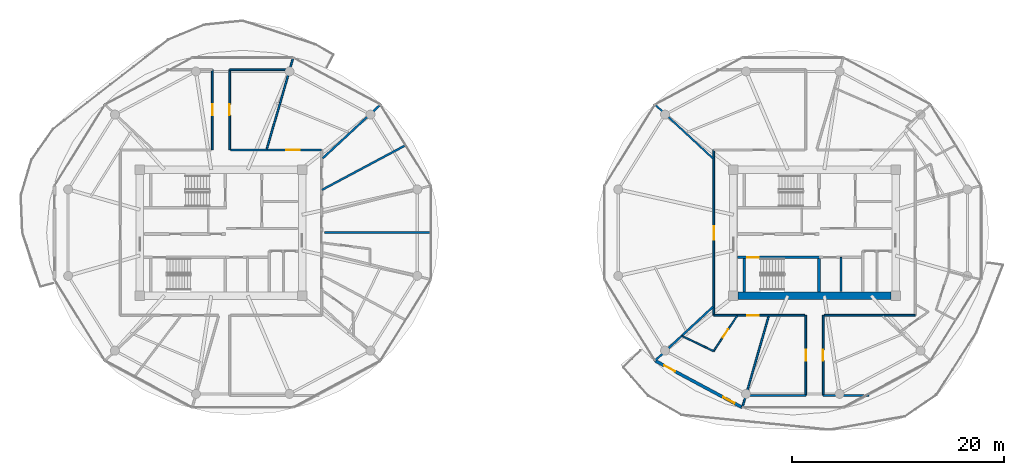
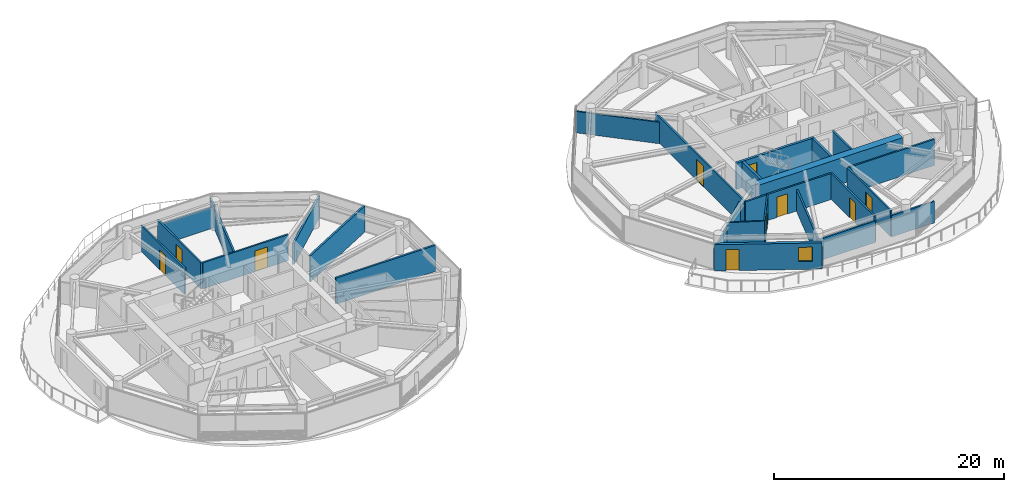
# One storey, part 15 of 24: 26 walls, 10 doors, 1 window, 11 openings.
"""IFC4 building model written with IfcOpenShell, lengths in metres."""

import ifcopenshell
import ifcopenshell.guid

model = None  # the IFC model being written
_history = None  # IfcOwnerHistory: only IFC2X3 demands one
_inside = {}  # id of a spatial element -> (the spatial element, [elements in it])
_under = {}  # id of a project, library or spatial element -> (it, [spatial elements below it])
_declared = {}  # id of a project -> (the project, [libraries it declares])
_typed = {}  # id of a type object -> (the type object, [elements of that type])
_made_of = {}  # id of a material, layer set ... -> (it, [elements and type objects made of it])


def new_model(schema):
    """Start an empty IFC model of exactly this schema.

    Asked for "IFC4X3", IfcOpenShell would pick the latest addendum, in which some entities
    have other attributes; the version numbers below select the first issue.
    IFC2X3 requires an IfcOwnerHistory on every rooted entity: one is made here for all.
    """
    global model, _history
    if schema == "IFC4X3":
        model = ifcopenshell.file(schema_version=(4, 3, 0, 0))
    else:
        model = ifcopenshell.file(schema=schema)
    _inside.clear()
    _under.clear()
    _declared.clear()
    _typed.clear()
    _made_of.clear()
    _history = None
    if model.schema == "IFC2X3":
        org = make("IfcOrganization", Name="unknown")
        user = make(
            "IfcPersonAndOrganization",
            ThePerson=make("IfcPerson", FamilyName="unknown"),
            TheOrganization=org,
        )
        app = make(
            "IfcApplication",
            ApplicationDeveloper=org,
            Version="unknown",
            ApplicationFullName="unknown",
            ApplicationIdentifier="unknown",
        )
        _history = make(
            "IfcOwnerHistory",
            OwningUser=user,
            OwningApplication=app,
            ChangeAction="ADDED",
            CreationDate=0,
        )
    return model


def make(cls, **values):
    """One entity of the class cls with the attributes given. An attribute that is None is left unset."""
    return model.create_entity(
        cls, **{name: value for name, value in values.items() if value is not None}
    )


def rooted(cls, **values):
    """An entity with a GlobalId (a new one), such as an element, a storey or a relation."""
    return make(cls, GlobalId=ifcopenshell.guid.new(), OwnerHistory=_history, **values)


def si_unit(unit_type, name, prefix=None):
    """IfcSIUnit, for example si_unit("LENGTHUNIT", "METRE", prefix="MILLI")."""
    return make("IfcSIUnit", UnitType=unit_type, Prefix=prefix, Name=name)


def assignment(units):
    """IfcUnitAssignment: the units of a project."""
    return None if units is None else make("IfcUnitAssignment", Units=units)


def point(xyz):
    """IfcCartesianPoint."""
    return None if xyz is None else make("IfcCartesianPoint", Coordinates=xyz)


def direction(xyz):
    """IfcDirection."""
    return None if xyz is None else make("IfcDirection", DirectionRatios=xyz)


def frame(location, z_axis=None, x_axis=None):
    """IfcAxis2Placement3D, a coordinate frame: its origin and axes. An axis left out is left unset."""
    return make(
        "IfcAxis2Placement3D",
        Location=point(location),
        Axis=direction(z_axis),
        RefDirection=direction(x_axis),
    )


def frame_2d(location, x_axis=None):
    """IfcAxis2Placement2D, a coordinate frame in the plane: its origin and x axis."""
    return make(
        "IfcAxis2Placement2D", Location=point(location), RefDirection=direction(x_axis)
    )


def origin():
    """The frame at (0, 0, 0) with its axes left unset."""
    return frame((0.0, 0.0, 0.0))


def place(relative_to, where):
    """IfcLocalPlacement: puts the frame where relative to a parent placement (None: the world)."""
    return make(
        "IfcLocalPlacement", PlacementRelTo=relative_to, RelativePlacement=where
    )


def context(
    kind, dimensions, precision=None, world=None, true_north=None, identifier=None
):
    """IfcGeometricRepresentationContext, for example the 3D "Model" context."""
    return make(
        "IfcGeometricRepresentationContext",
        ContextIdentifier=identifier,
        ContextType=kind,
        CoordinateSpaceDimension=dimensions,
        Precision=precision,
        WorldCoordinateSystem=world,
        TrueNorth=true_north,
    )


def subcontext(parent, identifier, kind, view, scale=None):
    """IfcGeometricRepresentationSubContext, for example "Body" below "Model"."""
    return make(
        "IfcGeometricRepresentationSubContext",
        ContextIdentifier=identifier,
        ContextType=kind,
        ParentContext=parent,
        TargetScale=scale,
        TargetView=view,
    )


def project(units=None, contexts=None):
    """IfcProject with its units and contexts."""
    return rooted(
        "IfcProject",
        Name="project",
        RepresentationContexts=contexts,
        UnitsInContext=assignment(units),
    )


def spatial(cls, under=None, at=None, **own):
    """A site, building, storey or space (cls), placed at a placement, below another one or the project."""
    s = rooted(cls, ObjectPlacement=at, **own)
    if under is not None:
        _under.setdefault(under.id(), (under, []))[1].append(s)
    return s


def profile(cls, at=None, kind="AREA", **sizes):
    """A parametric profile (cls). Its sizes go by their IFC names, for example OverallWidth=200.0."""
    return make(cls, ProfileType=kind, Position=at, **sizes)


def rectangle(**sizes):
    """IfcRectangleProfileDef."""
    return profile("IfcRectangleProfileDef", **sizes)


def extrude(swept, where, along, depth):
    """IfcExtrudedAreaSolid: the profile swept, set in the frame where, extruded along a direction by depth."""
    return make(
        "IfcExtrudedAreaSolid",
        SweptArea=swept,
        Position=where,
        ExtrudedDirection=direction(along),
        Depth=depth,
    )


def shape(context_of_items, identifier, shape_type, items):
    """IfcShapeRepresentation: the items that make up one representation, for example the "Body"."""
    return make(
        "IfcShapeRepresentation",
        ContextOfItems=context_of_items,
        RepresentationIdentifier=identifier,
        RepresentationType=shape_type,
        Items=items,
    )


def source(mapping_origin, context_of_items, identifier, shape_type, items):
    """IfcRepresentationMap: a shape defined once, which mapped items show again and again."""
    return make(
        "IfcRepresentationMap",
        MappingOrigin=mapping_origin,
        MappedRepresentation=shape(context_of_items, identifier, shape_type, items),
    )


def transform(
    local_origin,
    x_axis=None,
    y_axis=None,
    z_axis=None,
    scale=None,
    scale2=None,
    scale3=None,
    uniform=True,
):
    """IfcCartesianTransformationOperator3D, or its non-uniform kind. x_axis, y_axis, z_axis: its Axis1, 2, 3."""
    if uniform:
        return make(
            "IfcCartesianTransformationOperator3D",
            Axis1=direction(x_axis),
            Axis2=direction(y_axis),
            LocalOrigin=point(local_origin),
            Scale=scale,
            Axis3=direction(z_axis),
        )
    return make(
        "IfcCartesianTransformationOperator3DnonUniform",
        Axis1=direction(x_axis),
        Axis2=direction(y_axis),
        LocalOrigin=point(local_origin),
        Scale=scale,
        Axis3=direction(z_axis),
        Scale2=scale2,
        Scale3=scale3,
    )


def mapped(mapping_source, mapping_target):
    """IfcMappedItem: shows the shape of a source again, moved by a transform."""
    return make(
        "IfcMappedItem", MappingSource=mapping_source, MappingTarget=mapping_target
    )


def material(Name=None, Category=None):
    """IfcMaterial."""
    return make("IfcMaterial", Name=Name, Category=Category)


def layer(
    of_material, thickness, ventilated=None, Name=None, Category=None, Priority=None
):
    """IfcMaterialLayer: one layer of a wall or slab, of a material (None: an air gap)."""
    return make(
        "IfcMaterialLayer",
        Material=of_material,
        LayerThickness=thickness,
        IsVentilated=ventilated,
        Name=Name,
        Category=Category,
        Priority=Priority,
    )


def layer_set(layers, Name=None):
    """IfcMaterialLayerSet."""
    return make("IfcMaterialLayerSet", MaterialLayers=layers, LayerSetName=Name)


def made_of(thing, what):
    """Note that an element or type object is made of a material, layer set ...; save() writes the relation."""
    if what is not None:
        _made_of.setdefault(what.id(), (what, []))[1].append(thing)
    return thing


def type_object(cls, material=None, **own):
    """A type object (cls), such as IfcWallType, which elements share."""
    return made_of(rooted(cls, **own), material)


def type_shapes(of_type, sources):
    """Give a type object the sources (RepresentationMaps) that its elements show as mapped items."""
    of_type.RepresentationMaps = sources


def element(
    cls,
    number,
    at=None,
    inside=None,
    cuts=None,
    type_object=None,
    material=None,
    context=None,
    identifier="Body",
    shape_type=None,
    held_by="IfcProductDefinitionShape",
    body=None,
    shapes=None,
    **own,
):
    """One element of the class cls, such as IfcWall. Its Tag is "e" and its number.

    at: its placement. inside: the storey or other place that contains it. cuts: it is an
    opening in that element (IfcRelVoidsElement). A single representation is given by context,
    identifier, shape_type and body (its items); several are given by shapes. held_by: the class
    of the entity that holds the representations. save() writes the other relations.
    """
    e = rooted(cls, Tag="e%d" % number, ObjectPlacement=at, **own)
    if body is not None:
        shapes = [shape(context, identifier, shape_type, body)]
    if shapes is not None:
        e.Representation = make(held_by, Representations=shapes)
    if inside is not None:
        _inside.setdefault(inside.id(), (inside, []))[1].append(e)
    if cuts is not None:
        rooted(
            "IfcRelVoidsElement", RelatingBuildingElement=cuts, RelatedOpeningElement=e
        )
    if type_object is not None:
        _typed.setdefault(type_object.id(), (type_object, []))[1].append(e)
    return made_of(e, material)


def fill(opening, filler):
    """IfcRelFillsElement: the door or window that sits in an opening."""
    return rooted(
        "IfcRelFillsElement",
        RelatingOpeningElement=opening,
        RelatedBuildingElement=filler,
    )


def aggregate(whole, parts):
    """IfcRelAggregates: a whole, such as a stair, and the parts it consists of."""
    return rooted("IfcRelAggregates", RelatingObject=whole, RelatedObjects=parts)


def save(model, path):
    """Write the relations noted so far, then the file.

    IfcRelAggregates (storeys below a building ...), IfcRelContainedInSpatialStructure (elements
    in a storey), IfcRelDefinesByType, IfcRelAssociatesMaterial and IfcRelDeclares: one each for
    every whole, place, type object, material and project.
    """
    for whole, parts in _under.values():
        aggregate(whole, parts)
    for where, things in _inside.values():
        rooted(
            "IfcRelContainedInSpatialStructure",
            RelatedElements=things,
            RelatingStructure=where,
        )
    for kind, things in _typed.values():
        rooted("IfcRelDefinesByType", RelatedObjects=things, RelatingType=kind)
    for what, things in _made_of.values():
        rooted("IfcRelAssociatesMaterial", RelatedObjects=things, RelatingMaterial=what)
    for by, libraries in _declared.values():
        rooted("IfcRelDeclares", RelatingContext=by, RelatedDefinitions=libraries)
    model.write(path)


model = new_model("IFC4")

# Units and contexts
model_context = context("Model", 3, precision=1e-05, world=origin(), true_north=direction((0.0, 1.0)))
body_context = subcontext(model_context, "Body", "Model", "MODEL_VIEW")
ifc_project = project(units=[si_unit("LENGTHUNIT", "METRE"), si_unit("AREAUNIT", "SQUARE_METRE"), si_unit("VOLUMEUNIT", "CUBIC_METRE"), si_unit("PLANEANGLEUNIT", "RADIAN"), si_unit("MASSUNIT", "GRAM", prefix="KILO")], contexts=[model_context])

# Site, building, storey
site_placement = place(None, origin())
site = spatial("IfcSite", under=ifc_project, at=site_placement, CompositionType="ELEMENT")
building_placement = place(site_placement, origin())
building = spatial("IfcBuilding", under=site, at=building_placement, Name="Norrkilde Senior Care Towers", CompositionType="ELEMENT")
storey_placement = place(building_placement, frame((0.0, 0.0, 90.14990234375)))
storey = spatial("IfcBuildingStorey", under=building, at=storey_placement, Name="L27", CompositionType="ELEMENT", Elevation=90.14990234375)

# Wall
ifc_material_1 = material(Name="Concrete C60/75", Category="concrete")
ifc_layer_1 = layer(ifc_material_1, 0.719970703125)
ifc_layer_set_1 = layer_set([ifc_layer_1], Name="Concrete C60/75")
wall_type_1 = type_object("IfcWallType", Name="Core Shear Wall Z2 720", PredefinedType="SHEAR", material=ifc_layer_set_1)
shared_shape_1 = source(origin(), body_context, "Body", "SweptSolid", [
    extrude(rectangle(XDim=14.39990234375, YDim=0.719970703125, at=frame_2d((7.199951171875, 0.0))), origin(), (0.0, 0.0, 1.0), 2.7900390625),
])
type_shapes(wall_type_1, [shared_shape_1])
wall_1_placement = place(storey_placement, frame((35.199951171875, -5.949951171875, 0.0), z_axis=(0.0, 0.0, 1.0), x_axis=(-1.0, 0.0, 0.0)))
element("IfcWall", 1, at=wall_1_placement, inside=storey, type_object=wall_type_1, Name="L27 Core E South Shear Wall", PredefinedType="SHEAR", context=body_context, shape_type="MappedRepresentation", body=[
    mapped(shared_shape_1, transform((0.0, 0.0, 0.0), x_axis=(1.0, 0.0, 0.0), y_axis=(0.0, 1.0, 0.0), z_axis=(0.0, 0.0, 1.0), scale=1.0)),
])

# Wall, openings, door, window
ifc_material_2 = material(Name="Precast concrete C45/55", Category="concrete")
ifc_layer_2 = layer(ifc_material_2, 0.2900390625)
ifc_layer_set_2 = layer_set([ifc_layer_2], Name="Precast concrete C45/55")
wall_type_2 = type_object("IfcWallType", Name="Winter Garden Facade Wall 290", PredefinedType="SOLIDWALL", material=ifc_layer_set_2)
shared_shape_2 = source(origin(), body_context, "Body", "SweptSolid", [
    extrude(rectangle(XDim=9.3505859375, YDim=0.2900390625, at=frame_2d((4.67529296875, 0.0))), origin(), (0.0, 0.0, 1.0), 2.7900390625),
])
type_shapes(wall_type_2, [shared_shape_2])
wall_2_placement = place(storey_placement, frame((21.19287109375, -16.498046875, 0.0), z_axis=(0.0, 0.0, 1.0), x_axis=(-0.881184411073, 0.472772708267, 0.0)))
wall_2 = element("IfcWall", 2, at=wall_2_placement, inside=storey, type_object=wall_type_2, Name="L27 Drum E Balcony Access Wall 07", PredefinedType="SOLIDWALL", context=body_context, shape_type="MappedRepresentation", body=[
    mapped(shared_shape_2, transform((0.0, 0.0, 0.0), x_axis=(1.0, 0.0, 0.0), y_axis=(0.0, 1.0, 0.0), z_axis=(0.0, 0.0, 1.0), scale=1.0)),
])
opening_1_placement = place(wall_2_placement, frame((7.219970703125, 0.0, 0.0)))
opening_1 = element("IfcOpeningElement", 3, at=opening_1_placement, cuts=wall_2, Name="Opening D-09", PredefinedType="OPENING", context=body_context, shape_type="SweptSolid", body=[
    extrude(rectangle(XDim=1.14990234375, YDim=2.25, at=frame_2d((0.574951171875, 1.125))), frame((0.0, 0.155029296875, 0.0), z_axis=(0.0, -1.0, 0.0), x_axis=(1.0, 0.0, 0.0)), (0.0, 0.0, 1.0), 0.31005859375),
])
opening_2_placement = place(wall_2_placement, frame((0.85009765625, 0.0, 0.85009765625)))
opening_2 = element("IfcOpeningElement", 4, at=opening_2_placement, cuts=wall_2, Name="Opening WN-07", PredefinedType="OPENING", context=body_context, shape_type="SweptSolid", body=[
    extrude(rectangle(XDim=1.199951171875, YDim=1.5, at=frame_2d((0.60009765625, 0.75))), frame((0.0, 0.155029296875, 0.0), z_axis=(0.0, -1.0, 0.0), x_axis=(1.0, 0.0, 0.0)), (0.0, 0.0, 1.0), 0.31005859375),
])
ifc_material_3 = material(Name="Anodised Aluminium", Category="aluminium")
door_type_1 = type_object("IfcDoorType", Name="Terrace and Balcony Glazed Door 1150x2250", OperationType="NOTDEFINED", PredefinedType="DOOR", material=ifc_material_3)
shared_shape_3 = source(origin(), body_context, "Body", "SweptSolid", [
    extrude(rectangle(XDim=1.14990234375, YDim=2.25, at=frame_2d((0.574951171875, 1.125))), frame((0.0, 0.02490234375, 0.0), z_axis=(0.0, -1.0, 0.0), x_axis=(1.0, 0.0, 0.0)), (0.0, 0.0, 1.0), 0.050048828125),
])
type_shapes(door_type_1, [shared_shape_3])
door_1_placement = place(opening_1_placement, origin())
door_1 = element("IfcDoor", 5, at=door_1_placement, inside=storey, type_object=door_type_1, Name="L27 Drum E Outdoor Terrace Door 07", OperationType="SINGLE_SWING_RIGHT", OverallHeight=2.25, OverallWidth=1.14990234375, PredefinedType="DOOR", context=body_context, shape_type="MappedRepresentation", body=[
    mapped(shared_shape_3, transform((0.0, 0.0, 0.0), x_axis=(1.0, 0.0, 0.0), y_axis=(0.0, 1.0, 0.0), z_axis=(0.0, 0.0, 1.0), scale=1.0)),
])
fill(opening_1, door_1)
ifc_material_4 = material(Name="Triple Low-E Insulated Glazing", Category="glass")
window_type = type_object("IfcWindowType", Name="Stairwell Smoke Vent Window 1200x1500", PartitioningType="SINGLE_PANEL", PredefinedType="WINDOW", material=ifc_material_4)
shared_shape_4 = source(origin(), body_context, "Body", "SweptSolid", [
    extrude(rectangle(XDim=1.199951171875, YDim=1.5, at=frame_2d((0.60009765625, 0.75))), frame((0.0, 0.030029296875, 0.0), z_axis=(0.0, -1.0, 0.0), x_axis=(1.0, 0.0, 0.0)), (0.0, 0.0, 1.0), 0.06005859375),
])
type_shapes(window_type, [shared_shape_4])
window_placement = place(opening_2_placement, origin())
window = element("IfcWindow", 6, at=window_placement, inside=storey, type_object=window_type, Name="L27 Drum E Winter Garden Window 07", OverallHeight=1.5, OverallWidth=1.199951171875, PartitioningType="SINGLE_PANEL", PredefinedType="WINDOW", context=body_context, shape_type="MappedRepresentation", body=[
    mapped(shared_shape_4, transform((0.0, 0.0, 0.0), x_axis=(1.0, 0.0, 0.0), y_axis=(0.0, 1.0, 0.0), z_axis=(0.0, 0.0, 1.0), scale=1.0)),
])
fill(opening_2, window)

# Wall
ifc_material_5 = material(Name="Concrete C45/55", Category="concrete")
ifc_layer_3 = layer(ifc_material_5, 0.179931640625)
ifc_layer_set_3 = layer_set([ifc_layer_3], Name="Concrete C45/55")
wall_type_3 = type_object("IfcWallType", Name="Hoistway Division Rated Partition 180", PredefinedType="PARTITIONING", material=ifc_layer_set_3)
shared_shape_5 = source(origin(), body_context, "Body", "SweptSolid", [
    extrude(rectangle(XDim=3.219970703125, YDim=0.179931640625, at=frame_2d((1.60986328125, 0.0))), origin(), (0.0, 0.0, 1.0), 2.775146484375),
])
type_shapes(wall_type_3, [shared_shape_5])
wall_3_placement = place(storey_placement, frame((30.5, -5.550048828125, 0.0), z_axis=(0.0, 0.0, 1.0), x_axis=(0.0, 1.0, 0.0)))
element("IfcWall", 7, at=wall_3_placement, inside=storey, type_object=wall_type_3, Name="WL-INT-L27-E-PL34", PredefinedType="PARTITIONING", context=body_context, shape_type="MappedRepresentation", body=[
    mapped(shared_shape_5, transform((0.0, 0.0, 0.0), x_axis=(1.0, 0.0, 0.0), y_axis=(0.0, 1.0, 0.0), z_axis=(0.0, 0.0, 1.0), scale=1.0)),
])

# Wall, opening, door
ifc_material_6 = material(Name="Gypsum Acoustic Board")
ifc_layer_4 = layer(ifc_material_6, 0.1650390625)
ifc_layer_set_4 = layer_set([ifc_layer_4], Name="Gypsum Acoustic Board")
wall_type_4 = type_object("IfcWallType", Name="Corridor Rated Partition 165", PredefinedType="PARTITIONING", material=ifc_layer_set_4)
shared_shape_6 = source(origin(), body_context, "Body", "SweptSolid", [
    extrude(rectangle(XDim=15.60009765625, YDim=0.1650390625, at=frame_2d((7.800048828125, 0.0))), origin(), (0.0, 0.0, 1.0), 2.775146484375),
])
wall_4_placement = place(storey_placement, frame((18.5, -7.800048828125, 0.0), z_axis=(0.0, 0.0, 1.0), x_axis=(0.0, 1.0, 0.0)))
wall_4 = element("IfcWall", 8, at=wall_4_placement, inside=storey, type_object=wall_type_4, Name="WL-INT-L27-E-CRW-W-0", PredefinedType="PARTITIONING", context=body_context, shape_type="MappedRepresentation", body=[
    mapped(shared_shape_6, transform((0.0, 0.0, 0.0), x_axis=(1.0, 0.0, 0.0), y_axis=(0.0, 1.0, 0.0), z_axis=(0.0, 0.0, 1.0), scale=1.0)),
])
opening_3_placement = place(wall_4_placement, frame((7.1337890625, 0.0, 0.0)))
opening_3 = element("IfcOpeningElement", 9, at=opening_3_placement, cuts=wall_4, Name="Opening D-05", PredefinedType="OPENING", context=body_context, shape_type="SweptSolid", body=[
    extrude(rectangle(XDim=1.25, YDim=2.199951171875, at=frame_2d((0.625, 1.10009765625))), frame((0.0, 0.092529296875, 0.0), z_axis=(0.0, -1.0, 0.0), x_axis=(1.0, 0.0, 0.0)), (0.0, 0.0, 1.0), 0.18505859375),
])
ifc_material_7 = material(Name="Nordic Ash Timber", Category="wood")
door_type_2 = type_object("IfcDoorType", Name="Care Bedroom Bariatric Door 1250x2200", OperationType="NOTDEFINED", PredefinedType="DOOR", material=ifc_material_7)
shared_shape_7 = source(origin(), body_context, "Body", "SweptSolid", [
    extrude(rectangle(XDim=1.25, YDim=2.199951171875, at=frame_2d((0.625, 1.10009765625))), frame((0.0, 0.02490234375, 0.0), z_axis=(0.0, -1.0, 0.0), x_axis=(1.0, 0.0, 0.0)), (0.0, 0.0, 1.0), 0.050048828125),
])
type_shapes(door_type_2, [shared_shape_7])
door_2_placement = place(opening_3_placement, frame((1.25, 0.0, 0.0), z_axis=(0.0, 0.0, 1.0), x_axis=(-1.0, 0.0, 0.0)))
door_2 = element("IfcDoor", 10, at=door_2_placement, inside=storey, type_object=door_type_2, Name="L27 Senior Wellness Library Lounge Door", OperationType="SINGLE_SWING_LEFT", OverallHeight=2.199951171875, OverallWidth=1.25, PredefinedType="DOOR", context=body_context, shape_type="MappedRepresentation", body=[
    mapped(shared_shape_7, transform((0.0, 0.0, 0.0), x_axis=(1.0, 0.0, 0.0), y_axis=(0.0, 1.0, 0.0), z_axis=(0.0, 0.0, 1.0), scale=1.0)),
])
fill(opening_3, door_2)

ifc_layer_5 = layer(ifc_material_5, 0.239990234375)
ifc_layer_set_5 = layer_set([ifc_layer_5], Name="Concrete C45/55")
wall_type_5 = type_object("IfcWallType", Name="Shaft and Stair Enclosure Wall 240", PredefinedType="PARTITIONING", material=ifc_layer_set_5)
shared_shape_8 = source(origin(), body_context, "Body", "SweptSolid", [
    extrude(rectangle(XDim=7.830078125, YDim=0.239990234375, at=frame_2d((3.9150390625, 0.0))), origin(), (0.0, 0.0, 1.0), 2.7900390625),
])
wall_5_placement = place(storey_placement, frame((20.7099609375, -2.330078125, 0.0), z_axis=(0.0, 0.0, 1.0), x_axis=(1.0, 0.0, 0.0)))
wall_5 = element("IfcWall", 11, at=wall_5_placement, inside=storey, type_object=wall_type_5, Name="WL-INT-L27-E-ST2N", PredefinedType="PARTITIONING", context=body_context, shape_type="MappedRepresentation", body=[
    mapped(shared_shape_8, transform((0.0, 0.0, 0.0), x_axis=(1.0, 0.0, 0.0), y_axis=(0.0, 1.0, 0.0), z_axis=(0.0, 0.0, 1.0), scale=1.0)),
])
opening_4_placement = place(wall_5_placement, frame((0.949951171875, 0.0, 0.0)))
opening_4 = element("IfcOpeningElement", 12, at=opening_4_placement, cuts=wall_5, Name="Opening D-03", PredefinedType="OPENING", context=body_context, shape_type="SweptSolid", body=[
    extrude(rectangle(XDim=1.10009765625, YDim=2.14990234375, at=frame_2d((0.550048828125, 1.074951171875))), frame((0.0, 0.1298828125, 0.0), z_axis=(0.0, -1.0, 0.0), x_axis=(1.0, 0.0, 0.0)), (0.0, 0.0, 1.0), 0.260009765625),
])
ifc_material_8 = material(Name="Galvanised Painted Steel", Category="steel")
door_type_3 = type_object("IfcDoorType", Name="Stairwell Protected Fire Door 1100x2150", OperationType="NOTDEFINED", PredefinedType="DOOR", material=ifc_material_8)
shared_shape_9 = source(origin(), body_context, "Body", "SweptSolid", [
    extrude(rectangle(XDim=1.10009765625, YDim=2.14990234375, at=frame_2d((0.550048828125, 1.074951171875))), frame((0.0, 0.02490234375, 0.0), z_axis=(0.0, -1.0, 0.0), x_axis=(1.0, 0.0, 0.0)), (0.0, 0.0, 1.0), 0.050048828125),
])
type_shapes(door_type_3, [shared_shape_9])
door_3_placement = place(opening_4_placement, frame((1.10009765625, 0.0, 0.0), z_axis=(0.0, 0.0, 1.0), x_axis=(-1.0, 0.0, 0.0)))
door_3 = element("IfcDoor", 13, at=door_3_placement, inside=storey, type_object=door_type_3, Name="L27 Stair E2 Fire Door", OperationType="SINGLE_SWING_RIGHT", OverallHeight=2.14990234375, OverallWidth=1.10009765625, PredefinedType="DOOR", context=body_context, shape_type="MappedRepresentation", body=[
    mapped(shared_shape_9, transform((0.0, 0.0, 0.0), x_axis=(1.0, 0.0, 0.0), y_axis=(0.0, 1.0, 0.0), z_axis=(0.0, 0.0, 1.0), scale=1.0)),
])
fill(opening_4, door_3)

# Walls
shared_shape_10 = source(origin(), body_context, "Body", "SweptSolid", [
    extrude(rectangle(XDim=3.14013671875, YDim=0.239990234375, at=frame_2d((1.570068359375, 0.0))), origin(), (0.0, 0.0, 1.0), 2.7900390625),
])
type_shapes(wall_type_5, [shared_shape_8, shared_shape_10])
for number, where, z_axis, x_axis, name in (
    (14, (21.3798828125, -5.590087890625, 0.0), (0.0, 0.0, 1.0), (0.0, 1.0, 0.0), "WL-INT-L27-E-ST2W"),
    (15, (28.419921875, -5.590087890625, 0.0), (0.0, 0.0, 1.0), (0.0, 1.0, 0.0), "WL-INT-L27-E-ST2E"),
):
    element("IfcWall", number, at=place(storey_placement, frame(where, z_axis=z_axis, x_axis=x_axis)), inside=storey, type_object=wall_type_5, Name=name, PredefinedType="PARTITIONING", context=body_context, shape_type="MappedRepresentation", body=[
        mapped(shared_shape_10, transform((0.0, 0.0, 0.0), x_axis=(1.0, 0.0, 0.0), y_axis=(0.0, 1.0, 0.0), z_axis=(0.0, 0.0, 1.0), scale=1.0)),
    ])
ifc_layer_6 = layer(ifc_material_6, 0.18994140625)
ifc_layer_set_6 = layer_set([ifc_layer_6], Name="Gypsum Acoustic Board")
wall_type_6 = type_object("IfcWallType", Name="Unit Demising Acoustic Wall 190", PredefinedType="PARTITIONING", material=ifc_layer_set_6)
shared_shape_11 = source(origin(), body_context, "Body", "SweptSolid", [
    extrude(rectangle(XDim=7.482177734375, YDim=0.18994140625, at=frame_2d((3.7412109375, 0.0))), origin(), (0.0, 0.0, 1.0), 2.275146484375),
])
for number, where, z_axis, x_axis, name in (
    (16, (-18.419921875, 6.998046875, 0.0), (0.0, 0.0, 1.0), (0.732508698043, 0.680757671489, 0.0), "WL-INT-L27-W-DEM-01-0"),
    (17, (18.419921875, -6.998046875, 0.0), (0.0, 0.0, 1.0), (-0.732508698043, -0.680757671489, 0.0), "WL-INT-L27-E-DEM-07-0"),
):
    element("IfcWall", number, at=place(storey_placement, frame(where, z_axis=z_axis, x_axis=x_axis)), inside=storey, type_object=wall_type_6, Name=name, PredefinedType="PARTITIONING", context=body_context, shape_type="MappedRepresentation", body=[
        mapped(shared_shape_11, transform((0.0, 0.0, 0.0), x_axis=(1.0, 0.0, 0.0), y_axis=(0.0, 1.0, 0.0), z_axis=(0.0, 0.0, 1.0), scale=1.0)),
    ])

# Wall, opening, door
shared_shape_12 = source(origin(), body_context, "Body", "SweptSolid", [
    extrude(rectangle(XDim=8.60009765625, YDim=0.1650390625, at=frame_2d((4.300048828125, 0.0))), origin(), (0.0, 0.0, 1.0), 2.775146484375),
])
wall_6_placement = place(storey_placement, frame((-27.10009765625, 7.800048828125, 0.0), z_axis=(0.0, 0.0, 1.0), x_axis=(1.0, 0.0, 0.0)))
wall_6 = element("IfcWall", 18, at=wall_6_placement, inside=storey, type_object=wall_type_4, Name="WL-INT-L27-W-CRW-N-1", PredefinedType="PARTITIONING", context=body_context, shape_type="MappedRepresentation", body=[
    mapped(shared_shape_12, transform((0.0, 0.0, 0.0), x_axis=(1.0, 0.0, 0.0), y_axis=(0.0, 1.0, 0.0), z_axis=(0.0, 0.0, 1.0), scale=1.0)),
])
opening_5_placement = place(wall_6_placement, frame((5.27490234375, 0.0, 0.0)))
opening_5 = element("IfcOpeningElement", 19, at=opening_5_placement, cuts=wall_6, Name="Opening D-05", PredefinedType="OPENING", context=body_context, shape_type="SweptSolid", body=[
    extrude(rectangle(XDim=1.25, YDim=2.199951171875, at=frame_2d((0.625, 1.10009765625))), frame((0.0, 0.092529296875, 0.0), z_axis=(0.0, -1.0, 0.0), x_axis=(1.0, 0.0, 0.0)), (0.0, 0.0, 1.0), 0.18505859375),
])
door_4_placement = place(opening_5_placement, frame((1.25, 0.0, 0.0), z_axis=(0.0, 0.0, 1.0), x_axis=(-1.0, 0.0, 0.0)))
door_4 = element("IfcDoor", 20, at=door_4_placement, inside=storey, type_object=door_type_2, Name="L27 Household Therapeutic Kitchen Door", OperationType="SINGLE_SWING_RIGHT", OverallHeight=2.199951171875, OverallWidth=1.25, PredefinedType="DOOR", context=body_context, shape_type="MappedRepresentation", body=[
    mapped(shared_shape_7, transform((0.0, 0.0, 0.0), x_axis=(1.0, 0.0, 0.0), y_axis=(0.0, 1.0, 0.0), z_axis=(0.0, 0.0, 1.0), scale=1.0)),
])
fill(opening_5, door_4)

# Wall
wall_7_placement = place(storey_placement, frame((37.5, -7.800048828125, 0.0), z_axis=(0.0, 0.0, 1.0), x_axis=(-1.0, 0.0, 0.0)))
element("IfcWall", 21, at=wall_7_placement, inside=storey, type_object=wall_type_4, Name="WL-INT-L27-E-CRW-S-0", PredefinedType="PARTITIONING", context=body_context, shape_type="MappedRepresentation", body=[
    mapped(shared_shape_12, transform((0.0, 0.0, 0.0), x_axis=(1.0, 0.0, 0.0), y_axis=(0.0, 1.0, 0.0), z_axis=(0.0, 0.0, 1.0), scale=1.0)),
])

# Wall, opening, door
wall_8_placement = place(storey_placement, frame((27.10009765625, -7.800048828125, 0.0), z_axis=(0.0, 0.0, 1.0), x_axis=(-1.0, 0.0, 0.0)))
wall_8 = element("IfcWall", 22, at=wall_8_placement, inside=storey, type_object=wall_type_4, Name="WL-INT-L27-E-CRW-S-1", PredefinedType="PARTITIONING", context=body_context, shape_type="MappedRepresentation", body=[
    mapped(shared_shape_12, transform((0.0, 0.0, 0.0), x_axis=(1.0, 0.0, 0.0), y_axis=(0.0, 1.0, 0.0), z_axis=(0.0, 0.0, 1.0), scale=1.0)),
])
opening_6_placement = place(wall_8_placement, frame((4.384033203125, 0.0, 0.0)))
opening_6 = element("IfcOpeningElement", 23, at=opening_6_placement, cuts=wall_8, Name="Opening D-06", PredefinedType="OPENING", context=body_context, shape_type="SweptSolid", body=[
    extrude(rectangle(XDim=1.050048828125, YDim=2.14990234375, at=frame_2d((0.52490234375, 1.074951171875))), frame((0.0, 0.092529296875, 0.0), z_axis=(0.0, -1.0, 0.0), x_axis=(1.0, 0.0, 0.0)), (0.0, 0.0, 1.0), 0.18505859375),
])
door_type_4 = type_object("IfcDoorType", Name="Apartment Entrance Fire Door 1050x2150", OperationType="NOTDEFINED", PredefinedType="DOOR", material=ifc_material_7)
shared_shape_13 = source(origin(), body_context, "Body", "SweptSolid", [
    extrude(rectangle(XDim=1.050048828125, YDim=2.14990234375, at=frame_2d((0.52490234375, 1.074951171875))), frame((0.0, 0.02490234375, 0.0), z_axis=(0.0, -1.0, 0.0), x_axis=(1.0, 0.0, 0.0)), (0.0, 0.0, 1.0), 0.050048828125),
])
type_shapes(door_type_4, [shared_shape_13])
door_5_placement = place(opening_6_placement, frame((1.050048828125, 0.0, 0.0), z_axis=(0.0, 0.0, 1.0), x_axis=(-1.0, 0.0, 0.0)))
door_5 = element("IfcDoor", 24, at=door_5_placement, inside=storey, type_object=door_type_4, Name="L27 Studio 27B Entrance Door", OperationType="SINGLE_SWING_RIGHT", OverallHeight=2.14990234375, OverallWidth=1.050048828125, PredefinedType="DOOR", context=body_context, shape_type="MappedRepresentation", body=[
    mapped(shared_shape_13, transform((0.0, 0.0, 0.0), x_axis=(1.0, 0.0, 0.0), y_axis=(0.0, 1.0, 0.0), z_axis=(0.0, 0.0, 1.0), scale=1.0)),
])
fill(opening_6, door_5)

# Walls
shared_shape_14 = source(origin(), body_context, "Body", "SweptSolid", [
    extrude(rectangle(XDim=8.9892578125, YDim=0.1650390625, at=frame_2d((4.49462890625, 0.0))), origin(), (0.0, 0.0, 1.0), 2.275146484375),
])
for number, where, z_axis, x_axis, name in (
    (25, (-23.677978515625, 7.8798828125, 0.0), (0.0, 0.0, 1.0), (0.27702323008, 0.960863221274, 0.0), "WL-INT-L27-W-DEM-02-0"),
    (26, (23.677978515625, -7.8798828125, 0.0), (0.0, 0.0, 1.0), (-0.27702323008, -0.960863221274, 0.0), "WL-INT-L27-E-DEM-08-0"),
):
    element("IfcWall", number, at=place(storey_placement, frame(where, z_axis=z_axis, x_axis=x_axis)), inside=storey, type_object=wall_type_4, Name=name, PredefinedType="PARTITIONING", context=body_context, shape_type="MappedRepresentation", body=[
        mapped(shared_shape_14, transform((0.0, 0.0, 0.0), x_axis=(1.0, 0.0, 0.0), y_axis=(0.0, 1.0, 0.0), z_axis=(0.0, 0.0, 1.0), scale=1.0)),
    ])
shared_shape_15 = source(origin(), body_context, "Body", "SweptSolid", [
    extrude(rectangle(XDim=7.482177734375, YDim=0.1650390625, at=frame_2d((3.7412109375, 0.0))), origin(), (0.0, 0.0, 1.0), 2.275146484375),
])
wall_9_placement = place(storey_placement, frame((18.419921875, 6.998046875, 0.0), z_axis=(0.0, 0.0, 1.0), x_axis=(-0.732508698043, 0.680757671489, 0.0)))
element("IfcWall", 27, at=wall_9_placement, inside=storey, type_object=wall_type_4, Name="WL-INT-L27-E-DEM-04-0", PredefinedType="PARTITIONING", context=body_context, shape_type="MappedRepresentation", body=[
    mapped(shared_shape_15, transform((0.0, 0.0, 0.0), x_axis=(1.0, 0.0, 0.0), y_axis=(0.0, 1.0, 0.0), z_axis=(0.0, 0.0, 1.0), scale=1.0)),
])

# Wall, opening, door
shared_shape_16 = source(origin(), body_context, "Body", "SweptSolid", [
    extrude(rectangle(XDim=7.56005859375, YDim=0.1650390625, at=frame_2d((3.780029296875, 0.0))), origin(), (0.0, 0.0, 1.0), 2.775146484375),
])
wall_10_placement = place(storey_placement, frame((-28.820068359375, 7.800048828125, 0.0), z_axis=(0.0, 0.0, 1.0), x_axis=(0.0, 1.0, 0.0)))
wall_10 = element("IfcWall", 28, at=wall_10_placement, inside=storey, type_object=wall_type_4, Name="WL-INT-L27-W-PKW-NWL", PredefinedType="PARTITIONING", context=body_context, shape_type="MappedRepresentation", body=[
    mapped(shared_shape_16, transform((0.0, 0.0, 0.0), x_axis=(1.0, 0.0, 0.0), y_axis=(0.0, 1.0, 0.0), z_axis=(0.0, 0.0, 1.0), scale=1.0)),
])
opening_7_placement = place(wall_10_placement, frame((3.2548828125, 0.0, 0.0)))
opening_7 = element("IfcOpeningElement", 29, at=opening_7_placement, cuts=wall_10, Name="Opening D-06", PredefinedType="OPENING", context=body_context, shape_type="SweptSolid", body=[
    extrude(rectangle(XDim=1.050048828125, YDim=2.14990234375, at=frame_2d((0.52490234375, 1.074951171875))), frame((0.0, 0.092529296875, 0.0), z_axis=(0.0, -1.0, 0.0), x_axis=(1.0, 0.0, 0.0)), (0.0, 0.0, 1.0), 0.18505859375),
])
door_6_placement = place(opening_7_placement, frame((1.050048828125, 0.0, 0.0), z_axis=(0.0, 0.0, 1.0), x_axis=(-1.0, 0.0, 0.0)))
door_6 = element("IfcDoor", 30, at=door_6_placement, inside=storey, type_object=door_type_4, Name="L27 Reading Lounge NWL Door", OperationType="SINGLE_SWING_RIGHT", OverallHeight=2.14990234375, OverallWidth=1.050048828125, PredefinedType="DOOR", context=body_context, shape_type="MappedRepresentation", body=[
    mapped(shared_shape_13, transform((0.0, 0.0, 0.0), x_axis=(1.0, 0.0, 0.0), y_axis=(0.0, 1.0, 0.0), z_axis=(0.0, 0.0, 1.0), scale=1.0)),
])
fill(opening_7, door_6)

wall_11_placement = place(storey_placement, frame((-27.179931640625, 7.800048828125, 0.0), z_axis=(0.0, 0.0, 1.0), x_axis=(0.0, 1.0, 0.0)))
wall_11 = element("IfcWall", 31, at=wall_11_placement, inside=storey, type_object=wall_type_4, Name="WL-INT-L27-W-PKW-NEL", PredefinedType="PARTITIONING", context=body_context, shape_type="MappedRepresentation", body=[
    mapped(shared_shape_16, transform((0.0, 0.0, 0.0), x_axis=(1.0, 0.0, 0.0), y_axis=(0.0, 1.0, 0.0), z_axis=(0.0, 0.0, 1.0), scale=1.0)),
])
opening_8_placement = place(wall_11_placement, frame((3.2548828125, 0.0, 0.0)))
opening_8 = element("IfcOpeningElement", 32, at=opening_8_placement, cuts=wall_11, Name="Opening D-06", PredefinedType="OPENING", context=body_context, shape_type="SweptSolid", body=[
    extrude(rectangle(XDim=1.050048828125, YDim=2.14990234375, at=frame_2d((0.52490234375, 1.074951171875))), frame((0.0, 0.092529296875, 0.0), z_axis=(0.0, -1.0, 0.0), x_axis=(1.0, 0.0, 0.0)), (0.0, 0.0, 1.0), 0.18505859375),
])
door_7_placement = place(opening_8_placement, frame((1.050048828125, 0.0, 0.0), z_axis=(0.0, 0.0, 1.0), x_axis=(-1.0, 0.0, 0.0)))
door_7 = element("IfcDoor", 33, at=door_7_placement, inside=storey, type_object=door_type_4, Name="L27 Reading Lounge NEL Door", OperationType="SINGLE_SWING_RIGHT", OverallHeight=2.14990234375, OverallWidth=1.050048828125, PredefinedType="DOOR", context=body_context, shape_type="MappedRepresentation", body=[
    mapped(shared_shape_13, transform((0.0, 0.0, 0.0), x_axis=(1.0, 0.0, 0.0), y_axis=(0.0, 1.0, 0.0), z_axis=(0.0, 0.0, 1.0), scale=1.0)),
])
fill(opening_8, door_7)

wall_12_placement = place(storey_placement, frame((27.179931640625, -15.360107421875, 0.0), z_axis=(0.0, 0.0, 1.0), x_axis=(0.0, 1.0, 0.0)))
wall_12 = element("IfcWall", 34, at=wall_12_placement, inside=storey, type_object=wall_type_4, Name="WL-INT-L27-E-PKW-SWL", PredefinedType="PARTITIONING", context=body_context, shape_type="MappedRepresentation", body=[
    mapped(shared_shape_16, transform((0.0, 0.0, 0.0), x_axis=(1.0, 0.0, 0.0), y_axis=(0.0, 1.0, 0.0), z_axis=(0.0, 0.0, 1.0), scale=1.0)),
])
opening_9_placement = place(wall_12_placement, frame((3.2548828125, 0.0, 0.0)))
opening_9 = element("IfcOpeningElement", 35, at=opening_9_placement, cuts=wall_12, Name="Opening D-06", PredefinedType="OPENING", context=body_context, shape_type="SweptSolid", body=[
    extrude(rectangle(XDim=1.050048828125, YDim=2.14990234375, at=frame_2d((0.52490234375, 1.074951171875))), frame((0.0, 0.092529296875, 0.0), z_axis=(0.0, -1.0, 0.0), x_axis=(1.0, 0.0, 0.0)), (0.0, 0.0, 1.0), 0.18505859375),
])
door_8_placement = place(opening_9_placement, frame((1.050048828125, 0.0, 0.0), z_axis=(0.0, 0.0, 1.0), x_axis=(-1.0, 0.0, 0.0)))
door_8 = element("IfcDoor", 36, at=door_8_placement, inside=storey, type_object=door_type_4, Name="L27 Reading Lounge SWL Door", OperationType="SINGLE_SWING_RIGHT", OverallHeight=2.14990234375, OverallWidth=1.050048828125, PredefinedType="DOOR", context=body_context, shape_type="MappedRepresentation", body=[
    mapped(shared_shape_13, transform((0.0, 0.0, 0.0), x_axis=(1.0, 0.0, 0.0), y_axis=(0.0, 1.0, 0.0), z_axis=(0.0, 0.0, 1.0), scale=1.0)),
])
fill(opening_9, door_8)

wall_13_placement = place(storey_placement, frame((28.820068359375, -15.360107421875, 0.0), z_axis=(0.0, 0.0, 1.0), x_axis=(0.0, 1.0, 0.0)))
wall_13 = element("IfcWall", 37, at=wall_13_placement, inside=storey, type_object=wall_type_4, Name="WL-INT-L27-E-PKW-SEL", PredefinedType="PARTITIONING", context=body_context, shape_type="MappedRepresentation", body=[
    mapped(shared_shape_16, transform((0.0, 0.0, 0.0), x_axis=(1.0, 0.0, 0.0), y_axis=(0.0, 1.0, 0.0), z_axis=(0.0, 0.0, 1.0), scale=1.0)),
])
opening_10_placement = place(wall_13_placement, frame((3.2548828125, 0.0, 0.0)))
opening_10 = element("IfcOpeningElement", 38, at=opening_10_placement, cuts=wall_13, Name="Opening D-06", PredefinedType="OPENING", context=body_context, shape_type="SweptSolid", body=[
    extrude(rectangle(XDim=1.050048828125, YDim=2.14990234375, at=frame_2d((0.52490234375, 1.074951171875))), frame((0.0, 0.092529296875, 0.0), z_axis=(0.0, -1.0, 0.0), x_axis=(1.0, 0.0, 0.0)), (0.0, 0.0, 1.0), 0.18505859375),
])
door_9_placement = place(opening_10_placement, frame((1.050048828125, 0.0, 0.0), z_axis=(0.0, 0.0, 1.0), x_axis=(-1.0, 0.0, 0.0)))
door_9 = element("IfcDoor", 39, at=door_9_placement, inside=storey, type_object=door_type_4, Name="L27 Reading Lounge SEL Door", OperationType="SINGLE_SWING_RIGHT", OverallHeight=2.14990234375, OverallWidth=1.050048828125, PredefinedType="DOOR", context=body_context, shape_type="MappedRepresentation", body=[
    mapped(shared_shape_13, transform((0.0, 0.0, 0.0), x_axis=(1.0, 0.0, 0.0), y_axis=(0.0, 1.0, 0.0), z_axis=(0.0, 0.0, 1.0), scale=1.0)),
])
fill(opening_10, door_9)

# Walls
shared_shape_17 = source(origin(), body_context, "Body", "SweptSolid", [
    extrude(rectangle(XDim=4.306884765625, YDim=0.1650390625, at=frame_2d((2.1533203125, 0.0))), origin(), (0.0, 0.0, 1.0), 2.275146484375),
])
wall_14_placement = place(storey_placement, frame((28.820068359375, -15.360107421875, 0.0), z_axis=(0.0, 0.0, 1.0), x_axis=(1.0, 0.0, 0.0)))
element("IfcWall", 40, at=wall_14_placement, inside=storey, type_object=wall_type_4, Name="WL-INT-L27-E-PKH-SEL-0", PredefinedType="PARTITIONING", context=body_context, shape_type="MappedRepresentation", body=[
    mapped(shared_shape_17, transform((0.0, 0.0, 0.0), x_axis=(1.0, 0.0, 0.0), y_axis=(0.0, 1.0, 0.0), z_axis=(0.0, 0.0, 1.0), scale=1.0)),
])
shared_shape_18 = source(origin(), body_context, "Body", "SweptSolid", [
    extrude(rectangle(XDim=5.81396484375, YDim=0.1650390625, at=frame_2d((2.906982421875, 0.0))), origin(), (0.0, 0.0, 1.0), 2.275146484375),
])
type_shapes(wall_type_4, [shared_shape_6, shared_shape_12, shared_shape_14, shared_shape_15, shared_shape_16, shared_shape_17, shared_shape_18])
for number, where, z_axis, x_axis, name in (
    (41, (-27.179931640625, 15.360107421875, 0.0), (0.0, 0.0, 1.0), (1.0, 0.0, 0.0), "WL-INT-L27-W-PKH-NEL-0"),
    (42, (21.365966796875, -15.360107421875, 0.0), (0.0, 0.0, 1.0), (1.0, 0.0, 0.0), "WL-INT-L27-E-PKH-SWL-0"),
):
    element("IfcWall", number, at=place(storey_placement, frame(where, z_axis=z_axis, x_axis=x_axis)), inside=storey, type_object=wall_type_4, Name=name, PredefinedType="PARTITIONING", context=body_context, shape_type="MappedRepresentation", body=[
        mapped(shared_shape_18, transform((0.0, 0.0, 0.0), x_axis=(1.0, 0.0, 0.0), y_axis=(0.0, 1.0, 0.0), z_axis=(0.0, 0.0, 1.0), scale=1.0)),
    ])
shared_shape_19 = source(origin(), body_context, "Body", "SweptSolid", [
    extrude(rectangle(XDim=10.035888671875, YDim=0.18994140625, at=frame_2d((5.01806640625, 0.0))), origin(), (0.0, 0.0, 1.0), 2.775146484375),
])
wall_15_placement = place(storey_placement, frame((-18.212890625, 0.0, 0.0), z_axis=(0.0, 0.0, 1.0), x_axis=(1.0, 0.0, 0.0)))
element("IfcWall", 43, at=wall_15_placement, inside=storey, type_object=wall_type_6, Name="WL-INT-L27-W-CMID-11", PredefinedType="PARTITIONING", context=body_context, shape_type="MappedRepresentation", body=[
    mapped(shared_shape_19, transform((0.0, 0.0, 0.0), x_axis=(1.0, 0.0, 0.0), y_axis=(0.0, 1.0, 0.0), z_axis=(0.0, 0.0, 1.0), scale=1.0)),
])
shared_shape_20 = source(origin(), body_context, "Body", "SweptSolid", [
    extrude(rectangle(XDim=8.96826171875, YDim=0.18994140625, at=frame_2d((4.484130859375, 0.0))), origin(), (0.0, 0.0, 1.0), 2.775146484375),
])
type_shapes(wall_type_6, [shared_shape_11, shared_shape_19, shared_shape_20])
wall_16_placement = place(storey_placement, frame((-18.469970703125, 4.03564453125, 0.0), z_axis=(0.0, 0.0, 1.0), x_axis=(0.882202936563, 0.47086938605, 0.0)))
element("IfcWall", 44, at=wall_16_placement, inside=storey, type_object=wall_type_6, Name="WL-INT-L27-W-MID-00", PredefinedType="PARTITIONING", context=body_context, shape_type="MappedRepresentation", body=[
    mapped(shared_shape_20, transform((0.0, 0.0, 0.0), x_axis=(1.0, 0.0, 0.0), y_axis=(0.0, 1.0, 0.0), z_axis=(0.0, 0.0, 1.0), scale=1.0)),
])

# Wall, opening, door
ifc_layer_7 = layer(ifc_material_6, 0.139892578125)
ifc_layer_set_7 = layer_set([ifc_layer_7], Name="Gypsum Acoustic Board")
wall_type_7 = type_object("IfcWallType", Name="En-suite Wet Room Wall 140", PredefinedType="PARTITIONING", material=ifc_layer_set_7)
shared_shape_21 = source(origin(), body_context, "Body", "SweptSolid", [
    extrude(rectangle(XDim=4.02734375, YDim=0.139892578125, at=frame_2d((2.013671875, 0.0))), origin(), (0.0, 0.0, 1.0), 2.775146484375),
])
wall_17_placement = place(storey_placement, frame((20.714111328125, -7.830078125, 0.0), z_axis=(0.0, 0.0, 1.0), x_axis=(-0.555832825922, -0.831294093343, 0.0)))
wall_17 = element("IfcWall", 45, at=wall_17_placement, inside=storey, type_object=wall_type_7, Name="WL-INT-L27-E-ES-07", PredefinedType="PARTITIONING", context=body_context, shape_type="MappedRepresentation", body=[
    mapped(shared_shape_21, transform((0.0, 0.0, 0.0), x_axis=(1.0, 0.0, 0.0), y_axis=(0.0, 1.0, 0.0), z_axis=(0.0, 0.0, 1.0), scale=1.0)),
])
opening_11_placement = place(wall_17_placement, frame((1.5537109375, 0.0, 0.0)))
opening_11 = element("IfcOpeningElement", 46, at=opening_11_placement, cuts=wall_17, Name="Opening D-08", PredefinedType="OPENING", context=body_context, shape_type="SweptSolid", body=[
    extrude(rectangle(XDim=0.919921875, YDim=2.10009765625, at=frame_2d((0.4599609375, 1.050048828125))), frame((0.0, 0.079833984375, 0.0), z_axis=(0.0, -1.0, 0.0), x_axis=(1.0, 0.0, 0.0)), (0.0, 0.0, 1.0), 0.159912109375),
])
door_type_5 = type_object("IfcDoorType", Name="Accessible Wet Room Door 920x2100", OperationType="NOTDEFINED", PredefinedType="DOOR", material=ifc_material_7)
shared_shape_22 = source(origin(), body_context, "Body", "SweptSolid", [
    extrude(rectangle(XDim=0.919921875, YDim=2.10009765625, at=frame_2d((0.4599609375, 1.050048828125))), frame((0.0, 0.02490234375, 0.0), z_axis=(0.0, -1.0, 0.0), x_axis=(1.0, 0.0, 0.0)), (0.0, 0.0, 1.0), 0.050048828125),
])
type_shapes(door_type_5, [shared_shape_22])
door_10_placement = place(opening_11_placement, origin())
door_10 = element("IfcDoor", 47, at=door_10_placement, inside=storey, type_object=door_type_5, Name="L27 Studio 27B Bathroom Door", OperationType="SINGLE_SWING_LEFT", OverallHeight=2.10009765625, OverallWidth=0.919921875, PredefinedType="DOOR", context=body_context, shape_type="MappedRepresentation", body=[
    mapped(shared_shape_22, transform((0.0, 0.0, 0.0), x_axis=(1.0, 0.0, 0.0), y_axis=(0.0, 1.0, 0.0), z_axis=(0.0, 0.0, 1.0), scale=1.0)),
])
fill(opening_11, door_10)

# Wall
shared_shape_23 = source(origin(), body_context, "Body", "SweptSolid", [
    extrude(rectangle(XDim=3.291015625, YDim=0.139892578125, at=frame_2d((1.6455078125, 0.0))), origin(), (0.0, 0.0, 1.0), 2.775146484375),
])
type_shapes(wall_type_7, [shared_shape_21, shared_shape_23])
wall_18_placement = place(storey_placement, frame((18.4755859375, -11.177978515625, 0.0), z_axis=(0.0, 0.0, 1.0), x_axis=(-0.902381393443, 0.430938302739, 0.0)))
element("IfcWall", 48, at=wall_18_placement, inside=storey, type_object=wall_type_7, Name="WL-INT-L27-E-EF-07", PredefinedType="PARTITIONING", context=body_context, shape_type="MappedRepresentation", body=[
    mapped(shared_shape_23, transform((0.0, 0.0, 0.0), x_axis=(1.0, 0.0, 0.0), y_axis=(0.0, 1.0, 0.0), z_axis=(0.0, 0.0, 1.0), scale=1.0)),
])

save(model, "model.ifc")
